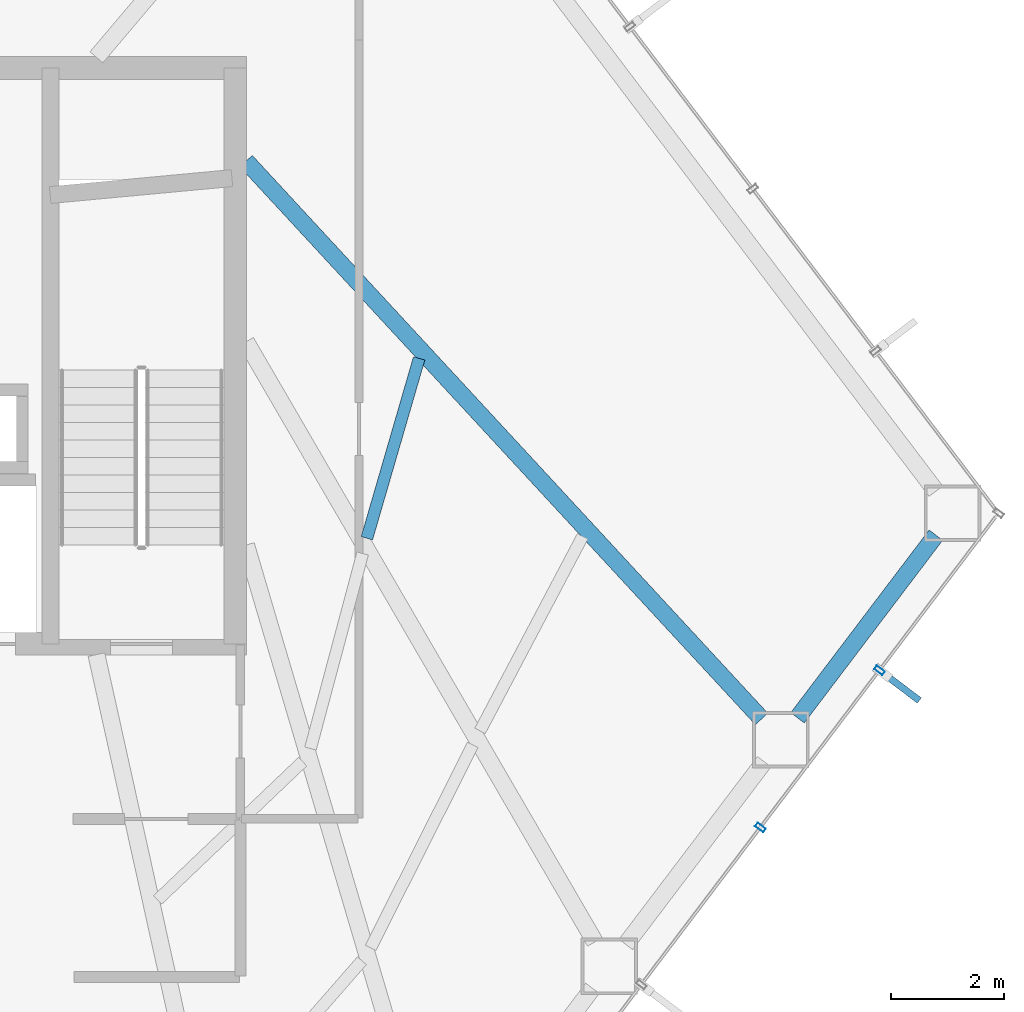
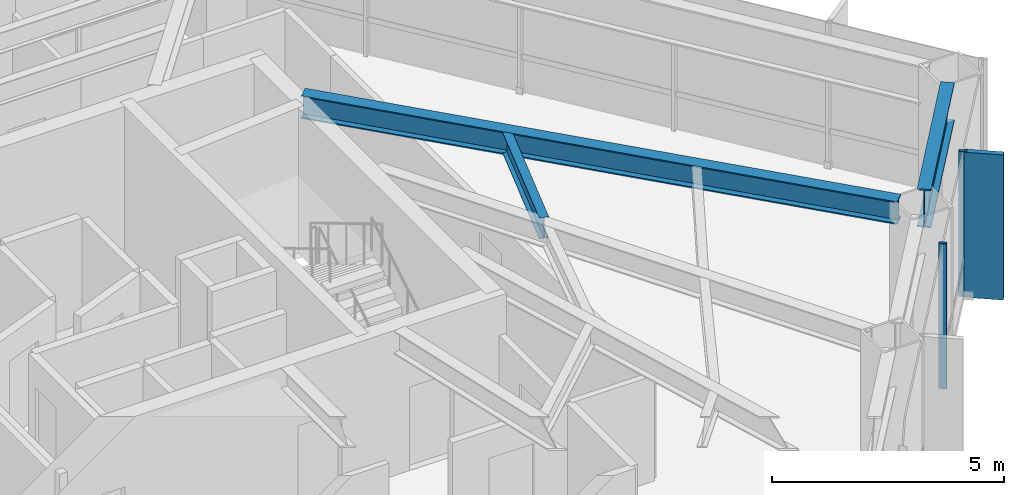
# One storey, part 18 of 25: 3 beams, 3 members, 1 element without a shape of its own.
"""IFC4 building model written with IfcOpenShell, lengths in metres."""

from ifc_helpers import new_model, si_unit, direction, frame, origin, origin_2d, place, context, subcontext, project, spatial, rectangle, hollow_rectangle, i_section, extrude, material, layer, layer_set, material_profile, profile_set, type_object, element, aggregate, save


model = new_model("IFC4")

# Units and contexts
model_context = context("Model", 3, precision=1e-05, world=origin(), true_north=direction((0.0, 1.0)))
body_context = subcontext(model_context, "Body", "Model", "MODEL_VIEW")
ifc_project = project(units=[si_unit("LENGTHUNIT", "METRE"), si_unit("AREAUNIT", "SQUARE_METRE"), si_unit("VOLUMEUNIT", "CUBIC_METRE"), si_unit("PLANEANGLEUNIT", "RADIAN"), si_unit("MASSUNIT", "GRAM", prefix="KILO")], contexts=[model_context])

# Site, building, storey
site_placement = place(None, origin())
site = spatial("IfcSite", under=ifc_project, at=site_placement, CompositionType="ELEMENT")
building_placement = place(site_placement, origin())
building = spatial("IfcBuilding", under=site, at=building_placement, Name="Zarrinselat Tower", CompositionType="ELEMENT")
storey_placement = place(building_placement, frame((0.0, 0.0, 52.02001953125)))
storey = spatial("IfcBuildingStorey", under=building, at=storey_placement, Name="L12", CompositionType="ELEMENT", Elevation=52.02001953125)

# Beams
ifc_material_1 = material(Name="Steel S355J2", Category="steel")
ifc_material_profile_1 = material_profile(ifc_material_1, i_section(OverallWidth=0.300048828125, OverallDepth=0.60009765625, WebThickness=0.015380859375, FlangeThickness=0.030029296875, at=origin_2d()), Name="HEB 600")
ifc_profile_set_1 = profile_set([ifc_material_profile_1], Name="Steel S355J2")
beam_type_1 = type_object("IfcBeamType", Name="BM-HEB600", PredefinedType="BEAM", material=ifc_profile_set_1)
beam_1_placement = place(storey_placement, frame((48.449951171875, 41.800048828125, 3.52001953125), z_axis=(0.678746558016, -0.734372596154, 0.0), x_axis=(0.734372596154, 0.678746558016, 0.0)))
element("IfcBeam", 1, at=beam_1_placement, inside=storey, type_object=beam_type_1, Name="L12 Radial Primary Girder RG14", PredefinedType="BEAM", context=body_context, shape_type="SweptSolid", body=[
    extrude(i_section(OverallWidth=0.300048828125, OverallDepth=0.60009765625, WebThickness=0.015380859375, FlangeThickness=0.030029296875, at=origin_2d()), origin(), (0.0, 0.0, 1.0), 13.4521484375),
])
ifc_material_2 = material(Name="Steel S460M", Category="steel")
ifc_material_profile_2 = material_profile(ifc_material_2, i_section(OverallWidth=0.302001953125, OverallDepth=1.008056640625, WebThickness=0.02099609375, FlangeThickness=0.0400390625, at=origin_2d()), Name="HEM 1000")
ifc_profile_set_2 = profile_set([ifc_material_profile_2], Name="Steel S460M")
beam_type_2 = type_object("IfcBeamType", Name="BM-HEM1000", PredefinedType="BEAM", material=ifc_profile_set_2)
beam_2_placement = place(storey_placement, frame((58.216064453125, 31.94140625, 3.31591796875), z_axis=(0.603851898096, 0.797096534409, 0.0), x_axis=(-0.797096534409, 0.603851898096, 0.0)))
element("IfcBeam", 2, at=beam_2_placement, inside=storey, type_object=beam_type_2, Name="L12 Perimeter Spandrel Girder SP14", PredefinedType="BEAM", context=body_context, shape_type="SweptSolid", body=[
    extrude(i_section(OverallWidth=0.302001953125, OverallDepth=1.008056640625, WebThickness=0.02099609375, FlangeThickness=0.0400390625, at=origin_2d()), origin(), (0.0, 0.0, 1.0), 4.059326171875),
])
ifc_material_3 = material(Name="Steel S355J2", Category="steel")
ifc_material_profile_3 = material_profile(ifc_material_3, i_section(OverallWidth=0.2099609375, OverallDepth=0.550048828125, WebThickness=0.010986328125, FlangeThickness=0.01708984375, at=origin_2d()), Name="IPE 550")
ifc_profile_set_3 = profile_set([ifc_material_profile_3], Name="Steel S355J2")
beam_type_3 = type_object("IfcBeamType", Name="BM-IPE550", PredefinedType="JOIST", material=ifc_profile_set_3)
beam_3_placement = place(storey_placement, frame((50.589599609375, 35.12109375, 3.544921875), z_axis=(0.279072923461, 0.960269911739, 0.0), x_axis=(-0.960269911739, 0.279072923461, 0.0)))
element("IfcBeam", 3, at=beam_3_placement, inside=storey, type_object=beam_type_3, Name="L12 Composite Floor Joist 5-2", PredefinedType="JOIST", context=body_context, shape_type="SweptSolid", body=[
    extrude(i_section(OverallWidth=0.2099609375, OverallDepth=0.550048828125, WebThickness=0.010986328125, FlangeThickness=0.01708984375, at=origin_2d()), origin(), (0.0, 0.0, 1.0), 3.3173828125),
])

# Curtain wall, members
ifc_material_4 = material(Name="Extruded Aluminium Alloy EN AW-6063 T6", Category="aluminium")
ifc_layer = layer(ifc_material_4, 0.18505859375)
ifc_layer_set = layer_set([ifc_layer], Name="Extruded Aluminium Alloy EN AW-6063 T6")
curtain_wall_type = type_object("IfcCurtainWallType", Name="CWS-OFF", PredefinedType="NOTDEFINED", material=ifc_layer_set)
curtain_wall_placement = place(storey_placement, origin())
curtain_wall = element("IfcCurtainWall", 4, at=curtain_wall_placement, inside=storey, type_object=curtain_wall_type, Name="L12 Unitised Curtain Wall CW-L12-E05", PredefinedType="NOTDEFINED")
ifc_material_5 = material(Name="Extruded Aluminium Alloy EN AW-6063 T6", Category="aluminium")
ifc_material_profile_4 = material_profile(ifc_material_5, hollow_rectangle(XDim=0.080078125, YDim=0.179931640625, WallThickness=0.0048828125, at=origin_2d()), Name="RHS 180x80x5")
ifc_profile_set_4 = profile_set([ifc_material_profile_4], Name="Extruded Aluminium Alloy EN AW-6063 T6")
member_type_1 = type_object("IfcMemberType", Name="MEM-CW-MUL", PredefinedType="MULLION", material=ifc_profile_set_4)
member_1_placement = place(storey_placement, frame((57.55908203125, 29.997802734375, 0.0), z_axis=(0.0, 0.0, 1.0), x_axis=(0.603860811653, 0.797089781737, 0.0)))
member_1 = element("IfcMember", 5, at=member_1_placement, type_object=member_type_1, Name="CW-L12-E05 Mullion 4", PredefinedType="MULLION", context=body_context, shape_type="SweptSolid", body=[
    extrude(hollow_rectangle(XDim=0.080078125, YDim=0.179931640625, WallThickness=0.0048828125, at=origin_2d()), origin(), (0.0, 0.0, 1.0), 3.820068359375),
])
member_2_placement = place(storey_placement, frame((59.668212890625, 32.781982421875, 0.0), z_axis=(0.0, 0.0, 1.0), x_axis=(0.603860811653, 0.797089781737, 0.0)))
member_2 = element("IfcMember", 6, at=member_2_placement, type_object=member_type_1, Name="CW-L12-E05 Mullion 5", PredefinedType="MULLION", context=body_context, shape_type="SweptSolid", body=[
    extrude(hollow_rectangle(XDim=0.080078125, YDim=0.179931640625, WallThickness=0.0048828125, at=origin_2d()), origin(), (0.0, 0.0, 1.0), 3.820068359375),
])
ifc_material_6 = material(Name="Honed Cream Travertine Stone", Category="masonry")
ifc_material_profile_5 = material_profile(ifc_material_6, rectangle(XDim=0.1201171875, YDim=0.85009765625, at=origin_2d()), Name="FIN 850x120")
ifc_profile_set_5 = profile_set([ifc_material_profile_5], Name="Honed Cream Travertine Stone")
member_type_2 = type_object("IfcMemberType", Name="MEM-STONE-FIN", PredefinedType="USERDEFINED", material=ifc_profile_set_5)
member_3_placement = place(storey_placement, frame((60.034912109375, 32.504150390625, 0.0), z_axis=(0.0, 0.0, 1.0), x_axis=(-0.603860811653, -0.797089781737, 0.0)))
member_3 = element("IfcMember", 7, at=member_3_placement, type_object=member_type_2, Name="L12 Stone Shading Fin CW-L12-E05-05", ObjectType="FIN", PredefinedType="USERDEFINED", context=body_context, shape_type="SweptSolid", body=[
    extrude(rectangle(XDim=0.1201171875, YDim=0.85009765625, at=origin_2d()), origin(), (0.0, 0.0, 1.0), 3.820068359375),
])
aggregate(curtain_wall, [member_1, member_2, member_3])

save(model, "model.ifc")
